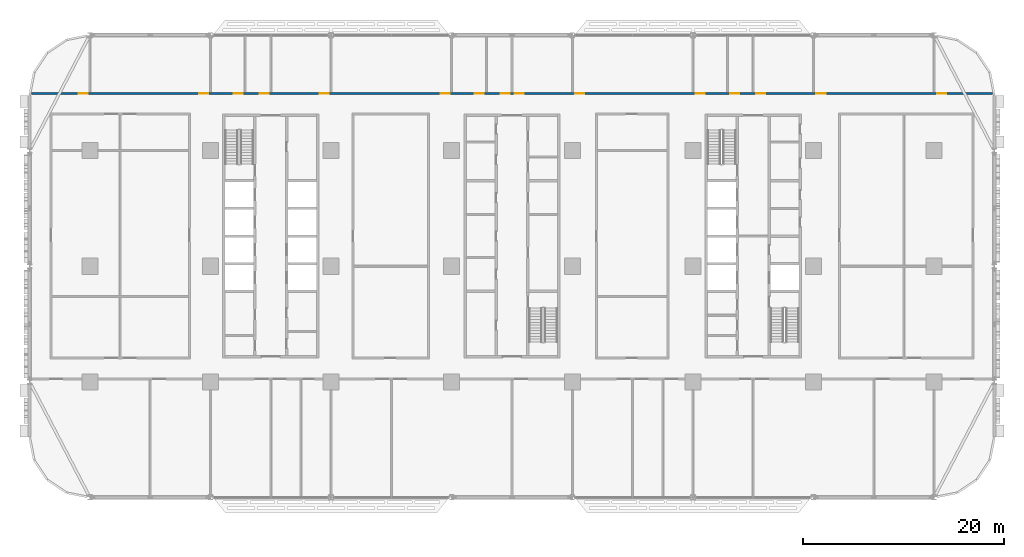
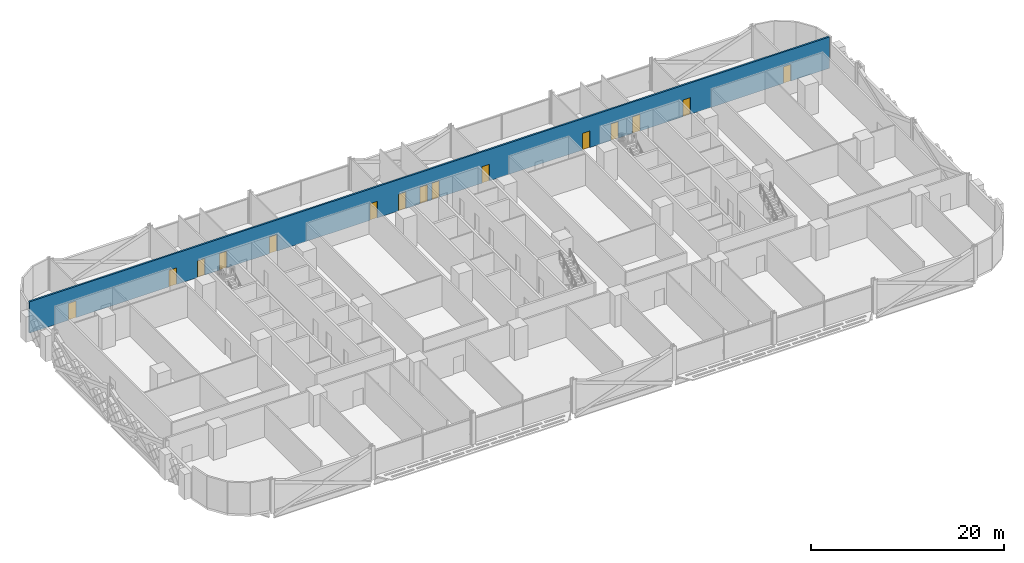
# One storey, part 13 of 29: 15 doors, 1 wall, 15 openings.
"""IFC4 building model written with IfcOpenShell, lengths in metres."""

from ifc_helpers import new_model, si_unit, direction, frame, frame_2d, origin, place, context, subcontext, project, spatial, rectangle, extrude, material, layer, layer_set, type_object, element, fill, save


model = new_model("IFC4")

# Units and contexts
model_context = context("Model", 3, precision=1e-05, world=origin(), true_north=direction((0.0, 1.0)))
body_context = subcontext(model_context, "Body", "Model", "MODEL_VIEW")
ifc_project = project(units=[si_unit("LENGTHUNIT", "METRE"), si_unit("AREAUNIT", "SQUARE_METRE"), si_unit("VOLUMEUNIT", "CUBIC_METRE"), si_unit("PLANEANGLEUNIT", "RADIAN"), si_unit("MASSUNIT", "GRAM", prefix="KILO")], contexts=[model_context])

# Site, building, storey
site_placement = place(None, origin())
site = spatial("IfcSite", under=ifc_project, at=site_placement, CompositionType="ELEMENT")
building_placement = place(site_placement, origin())
building = spatial("IfcBuilding", under=site, at=building_placement, Name="Mahtab Terrace Research Tower", CompositionType="ELEMENT")
storey_placement = place(building_placement, frame((0.0, 0.0, 20.10009765625)))
storey = spatial("IfcBuildingStorey", under=building, at=storey_placement, Name="L04", CompositionType="ELEMENT", Elevation=20.10009765625)

# Wall, openings, doors
ifc_material_1 = material(Name="Gypsum board corridor wall on steel studs", Category="steel")
ifc_layer = layer(ifc_material_1, 0.199951171875)
ifc_layer_set = layer_set([ifc_layer], Name="WALL CORRIDOR 200")
wall_type = type_object("IfcWallType", Name="WALL CORRIDOR 200", PredefinedType="PARTITIONING", material=ifc_layer_set)
wall_placement = place(storey_placement, frame((-47.807373046875, 17.199951171875, 0.0), z_axis=(0.0, 0.0, 1.0), x_axis=(1.0, 0.0, 0.0)))
wall = element("IfcWall", 1, at=wall_placement, inside=storey, type_object=wall_type, Name="L04-W026", PredefinedType="PARTITIONING", context=body_context, shape_type="SweptSolid", body=[
    extrude(rectangle(XDim=95.61474609375, YDim=0.199951171875, at=frame_2d((47.807373046875, 0.0))), origin(), (0.0, 0.0, 1.0), 3.9599609375),
])
opening_1_placement = place(wall_placement, frame((4.699951171875, 0.0, 0.0)))
opening_1 = element("IfcOpeningElement", 2, at=opening_1_placement, cuts=wall, Name="Opening L04-131", PredefinedType="OPENING", context=body_context, shape_type="SweptSolid", body=[
    extrude(rectangle(XDim=0.89990234375, YDim=2.10009765625, at=frame_2d((0.449951171875, 1.050048828125))), frame((0.0, 0.10986328125, 0.0), z_axis=(0.0, -1.0, 0.0), x_axis=(1.0, 0.0, 0.0)), (0.0, 0.0, 1.0), 0.219970703125),
])
opening_2_placement = place(wall_placement, frame((16.699951171875, 0.0, 0.0)))
opening_2 = element("IfcOpeningElement", 3, at=opening_2_placement, cuts=wall, Name="Opening L04-132", PredefinedType="OPENING", context=body_context, shape_type="SweptSolid", body=[
    extrude(rectangle(XDim=0.89990234375, YDim=2.10009765625, at=frame_2d((0.449951171875, 1.050048828125))), frame((0.0, 0.10986328125, 0.0), z_axis=(0.0, -1.0, 0.0), x_axis=(1.0, 0.0, 0.0)), (0.0, 0.0, 1.0), 0.219970703125),
])
opening_3_placement = place(wall_placement, frame((20.10009765625, 0.0, 0.0)))
opening_3 = element("IfcOpeningElement", 4, at=opening_3_placement, cuts=wall, Name="Opening L04-133", PredefinedType="OPENING", context=body_context, shape_type="SweptSolid", body=[
    extrude(rectangle(XDim=0.89990234375, YDim=2.10009765625, at=frame_2d((0.449951171875, 1.050048828125))), frame((0.0, 0.10986328125, 0.0), z_axis=(0.0, -1.0, 0.0), x_axis=(1.0, 0.0, 0.0)), (0.0, 0.0, 1.0), 0.219970703125),
])
opening_4_placement = place(wall_placement, frame((22.699951171875, 0.0, 0.0)))
opening_4 = element("IfcOpeningElement", 5, at=opening_4_placement, cuts=wall, Name="Opening L04-134", PredefinedType="OPENING", context=body_context, shape_type="SweptSolid", body=[
    extrude(rectangle(XDim=0.89990234375, YDim=2.10009765625, at=frame_2d((0.449951171875, 1.050048828125))), frame((0.0, 0.10986328125, 0.0), z_axis=(0.0, -1.0, 0.0), x_axis=(1.0, 0.0, 0.0)), (0.0, 0.0, 1.0), 0.219970703125),
])
opening_5_placement = place(wall_placement, frame((28.699951171875, 0.0, 0.0)))
opening_5 = element("IfcOpeningElement", 6, at=opening_5_placement, cuts=wall, Name="Opening L04-135", PredefinedType="OPENING", context=body_context, shape_type="SweptSolid", body=[
    extrude(rectangle(XDim=0.89990234375, YDim=2.10009765625, at=frame_2d((0.449951171875, 1.050048828125))), frame((0.0, 0.10986328125, 0.0), z_axis=(0.0, -1.0, 0.0), x_axis=(1.0, 0.0, 0.0)), (0.0, 0.0, 1.0), 0.219970703125),
])
opening_6_placement = place(wall_placement, frame((40.699951171875, 0.0, 0.0)))
opening_6 = element("IfcOpeningElement", 7, at=opening_6_placement, cuts=wall, Name="Opening L04-136", PredefinedType="OPENING", context=body_context, shape_type="SweptSolid", body=[
    extrude(rectangle(XDim=0.89990234375, YDim=2.10009765625, at=frame_2d((0.449951171875, 1.050048828125))), frame((0.0, 0.10986328125, 0.0), z_axis=(0.0, -1.0, 0.0), x_axis=(1.0, 0.0, 0.0)), (0.0, 0.0, 1.0), 0.219970703125),
])
opening_7_placement = place(wall_placement, frame((44.10009765625, 0.0, 0.0)))
opening_7 = element("IfcOpeningElement", 8, at=opening_7_placement, cuts=wall, Name="Opening L04-137", PredefinedType="OPENING", context=body_context, shape_type="SweptSolid", body=[
    extrude(rectangle(XDim=0.89990234375, YDim=2.10009765625, at=frame_2d((0.449951171875, 1.050048828125))), frame((0.0, 0.10986328125, 0.0), z_axis=(0.0, -1.0, 0.0), x_axis=(1.0, 0.0, 0.0)), (0.0, 0.0, 1.0), 0.219970703125),
])
opening_8_placement = place(wall_placement, frame((46.699951171875, 0.0, 0.0)))
opening_8 = element("IfcOpeningElement", 9, at=opening_8_placement, cuts=wall, Name="Opening L04-138", PredefinedType="OPENING", context=body_context, shape_type="SweptSolid", body=[
    extrude(rectangle(XDim=0.89990234375, YDim=2.10009765625, at=frame_2d((0.449951171875, 1.050048828125))), frame((0.0, 0.10986328125, 0.0), z_axis=(0.0, -1.0, 0.0), x_axis=(1.0, 0.0, 0.0)), (0.0, 0.0, 1.0), 0.219970703125),
])
opening_9_placement = place(wall_placement, frame((48.10009765625, 0.0, 0.0)))
opening_9 = element("IfcOpeningElement", 10, at=opening_9_placement, cuts=wall, Name="Opening L04-139", PredefinedType="OPENING", context=body_context, shape_type="SweptSolid", body=[
    extrude(rectangle(XDim=0.89990234375, YDim=2.10009765625, at=frame_2d((0.449951171875, 1.050048828125))), frame((0.0, 0.10986328125, 0.0), z_axis=(0.0, -1.0, 0.0), x_axis=(1.0, 0.0, 0.0)), (0.0, 0.0, 1.0), 0.219970703125),
])
opening_10_placement = place(wall_placement, frame((54.10009765625, 0.0, 0.0)))
opening_10 = element("IfcOpeningElement", 11, at=opening_10_placement, cuts=wall, Name="Opening L04-140", PredefinedType="OPENING", context=body_context, shape_type="SweptSolid", body=[
    extrude(rectangle(XDim=0.89990234375, YDim=2.10009765625, at=frame_2d((0.449951171875, 1.050048828125))), frame((0.0, 0.10986328125, 0.0), z_axis=(0.0, -1.0, 0.0), x_axis=(1.0, 0.0, 0.0)), (0.0, 0.0, 1.0), 0.219970703125),
])
opening_11_placement = place(wall_placement, frame((66.10009765625, 0.0, 0.0)))
opening_11 = element("IfcOpeningElement", 12, at=opening_11_placement, cuts=wall, Name="Opening L04-141", PredefinedType="OPENING", context=body_context, shape_type="SweptSolid", body=[
    extrude(rectangle(XDim=0.89990234375, YDim=2.10009765625, at=frame_2d((0.449951171875, 1.050048828125))), frame((0.0, 0.10986328125, 0.0), z_axis=(0.0, -1.0, 0.0), x_axis=(1.0, 0.0, 0.0)), (0.0, 0.0, 1.0), 0.219970703125),
])
opening_12_placement = place(wall_placement, frame((69.5, 0.0, 0.0)))
opening_12 = element("IfcOpeningElement", 13, at=opening_12_placement, cuts=wall, Name="Opening L04-142", PredefinedType="OPENING", context=body_context, shape_type="SweptSolid", body=[
    extrude(rectangle(XDim=0.89990234375, YDim=2.10009765625, at=frame_2d((0.449951171875, 1.050048828125))), frame((0.0, 0.10986328125, 0.0), z_axis=(0.0, -1.0, 0.0), x_axis=(1.0, 0.0, 0.0)), (0.0, 0.0, 1.0), 0.219970703125),
])
opening_13_placement = place(wall_placement, frame((72.10009765625, 0.0, 0.0)))
opening_13 = element("IfcOpeningElement", 14, at=opening_13_placement, cuts=wall, Name="Opening L04-143", PredefinedType="OPENING", context=body_context, shape_type="SweptSolid", body=[
    extrude(rectangle(XDim=0.89990234375, YDim=2.10009765625, at=frame_2d((0.449951171875, 1.050048828125))), frame((0.0, 0.10986328125, 0.0), z_axis=(0.0, -1.0, 0.0), x_axis=(1.0, 0.0, 0.0)), (0.0, 0.0, 1.0), 0.219970703125),
])
opening_14_placement = place(wall_placement, frame((78.10009765625, 0.0, 0.0)))
opening_14 = element("IfcOpeningElement", 15, at=opening_14_placement, cuts=wall, Name="Opening L04-144", PredefinedType="OPENING", context=body_context, shape_type="SweptSolid", body=[
    extrude(rectangle(XDim=0.89990234375, YDim=2.10009765625, at=frame_2d((0.449951171875, 1.050048828125))), frame((0.0, 0.10986328125, 0.0), z_axis=(0.0, -1.0, 0.0), x_axis=(1.0, 0.0, 0.0)), (0.0, 0.0, 1.0), 0.219970703125),
])
opening_15_placement = place(wall_placement, frame((90.10009765625, 0.0, 0.0)))
opening_15 = element("IfcOpeningElement", 16, at=opening_15_placement, cuts=wall, Name="Opening L04-145", PredefinedType="OPENING", context=body_context, shape_type="SweptSolid", body=[
    extrude(rectangle(XDim=0.89990234375, YDim=2.10009765625, at=frame_2d((0.449951171875, 1.050048828125))), frame((0.0, 0.10986328125, 0.0), z_axis=(0.0, -1.0, 0.0), x_axis=(1.0, 0.0, 0.0)), (0.0, 0.0, 1.0), 0.219970703125),
])
ifc_material_2 = material(Name="Timber door leaf in steel frame", Category="steel")
door_type = type_object("IfcDoorType", Name="DOOR 0900X2100 FD30S", OperationType="SINGLE_SWING_LEFT", PredefinedType="DOOR", material=ifc_material_2)
door_1_placement = place(opening_1_placement, origin())
door_1 = element("IfcDoor", 17, at=door_1_placement, inside=storey, type_object=door_type, Name="Door L04-131", OperationType="SINGLE_SWING_LEFT", OverallHeight=2.10009765625, OverallWidth=0.89990234375, PredefinedType="DOOR", context=body_context, shape_type="SweptSolid", body=[
    extrude(rectangle(XDim=0.89990234375, YDim=2.10009765625, at=frame_2d((0.449951171875, 1.050048828125))), frame((0.0, 0.02490234375, 0.0), z_axis=(0.0, -1.0, 0.0), x_axis=(1.0, 0.0, 0.0)), (0.0, 0.0, 1.0), 0.050048828125),
])
fill(opening_1, door_1)
door_2_placement = place(opening_2_placement, origin())
door_2 = element("IfcDoor", 18, at=door_2_placement, inside=storey, type_object=door_type, Name="Door L04-132", OperationType="SINGLE_SWING_LEFT", OverallHeight=2.10009765625, OverallWidth=0.89990234375, PredefinedType="DOOR", context=body_context, shape_type="SweptSolid", body=[
    extrude(rectangle(XDim=0.89990234375, YDim=2.10009765625, at=frame_2d((0.449951171875, 1.050048828125))), frame((0.0, 0.02490234375, 0.0), z_axis=(0.0, -1.0, 0.0), x_axis=(1.0, 0.0, 0.0)), (0.0, 0.0, 1.0), 0.050048828125),
])
fill(opening_2, door_2)
door_3_placement = place(opening_3_placement, origin())
door_3 = element("IfcDoor", 19, at=door_3_placement, inside=storey, type_object=door_type, Name="Door L04-133", OperationType="SINGLE_SWING_LEFT", OverallHeight=2.10009765625, OverallWidth=0.89990234375, PredefinedType="DOOR", context=body_context, shape_type="SweptSolid", body=[
    extrude(rectangle(XDim=0.89990234375, YDim=2.10009765625, at=frame_2d((0.449951171875, 1.050048828125))), frame((0.0, 0.02490234375, 0.0), z_axis=(0.0, -1.0, 0.0), x_axis=(1.0, 0.0, 0.0)), (0.0, 0.0, 1.0), 0.050048828125),
])
fill(opening_3, door_3)
door_4_placement = place(opening_4_placement, origin())
door_4 = element("IfcDoor", 20, at=door_4_placement, inside=storey, type_object=door_type, Name="Door L04-134", OperationType="SINGLE_SWING_LEFT", OverallHeight=2.10009765625, OverallWidth=0.89990234375, PredefinedType="DOOR", context=body_context, shape_type="SweptSolid", body=[
    extrude(rectangle(XDim=0.89990234375, YDim=2.10009765625, at=frame_2d((0.449951171875, 1.050048828125))), frame((0.0, 0.02490234375, 0.0), z_axis=(0.0, -1.0, 0.0), x_axis=(1.0, 0.0, 0.0)), (0.0, 0.0, 1.0), 0.050048828125),
])
fill(opening_4, door_4)
door_5_placement = place(opening_5_placement, origin())
door_5 = element("IfcDoor", 21, at=door_5_placement, inside=storey, type_object=door_type, Name="Door L04-135", OperationType="SINGLE_SWING_LEFT", OverallHeight=2.10009765625, OverallWidth=0.89990234375, PredefinedType="DOOR", context=body_context, shape_type="SweptSolid", body=[
    extrude(rectangle(XDim=0.89990234375, YDim=2.10009765625, at=frame_2d((0.449951171875, 1.050048828125))), frame((0.0, 0.02490234375, 0.0), z_axis=(0.0, -1.0, 0.0), x_axis=(1.0, 0.0, 0.0)), (0.0, 0.0, 1.0), 0.050048828125),
])
fill(opening_5, door_5)
door_6_placement = place(opening_6_placement, origin())
door_6 = element("IfcDoor", 22, at=door_6_placement, inside=storey, type_object=door_type, Name="Door L04-136", OperationType="SINGLE_SWING_LEFT", OverallHeight=2.10009765625, OverallWidth=0.89990234375, PredefinedType="DOOR", context=body_context, shape_type="SweptSolid", body=[
    extrude(rectangle(XDim=0.89990234375, YDim=2.10009765625, at=frame_2d((0.449951171875, 1.050048828125))), frame((0.0, 0.02490234375, 0.0), z_axis=(0.0, -1.0, 0.0), x_axis=(1.0, 0.0, 0.0)), (0.0, 0.0, 1.0), 0.050048828125),
])
fill(opening_6, door_6)
door_7_placement = place(opening_7_placement, origin())
door_7 = element("IfcDoor", 23, at=door_7_placement, inside=storey, type_object=door_type, Name="Door L04-137", OperationType="SINGLE_SWING_LEFT", OverallHeight=2.10009765625, OverallWidth=0.89990234375, PredefinedType="DOOR", context=body_context, shape_type="SweptSolid", body=[
    extrude(rectangle(XDim=0.89990234375, YDim=2.10009765625, at=frame_2d((0.449951171875, 1.050048828125))), frame((0.0, 0.02490234375, 0.0), z_axis=(0.0, -1.0, 0.0), x_axis=(1.0, 0.0, 0.0)), (0.0, 0.0, 1.0), 0.050048828125),
])
fill(opening_7, door_7)
door_8_placement = place(opening_8_placement, origin())
door_8 = element("IfcDoor", 24, at=door_8_placement, inside=storey, type_object=door_type, Name="Door L04-138", OperationType="SINGLE_SWING_LEFT", OverallHeight=2.10009765625, OverallWidth=0.89990234375, PredefinedType="DOOR", context=body_context, shape_type="SweptSolid", body=[
    extrude(rectangle(XDim=0.89990234375, YDim=2.10009765625, at=frame_2d((0.449951171875, 1.050048828125))), frame((0.0, 0.02490234375, 0.0), z_axis=(0.0, -1.0, 0.0), x_axis=(1.0, 0.0, 0.0)), (0.0, 0.0, 1.0), 0.050048828125),
])
fill(opening_8, door_8)
door_9_placement = place(opening_9_placement, origin())
door_9 = element("IfcDoor", 25, at=door_9_placement, inside=storey, type_object=door_type, Name="Door L04-139", OperationType="SINGLE_SWING_RIGHT", OverallHeight=2.10009765625, OverallWidth=0.89990234375, PredefinedType="DOOR", context=body_context, shape_type="SweptSolid", body=[
    extrude(rectangle(XDim=0.89990234375, YDim=2.10009765625, at=frame_2d((0.449951171875, 1.050048828125))), frame((0.0, 0.02490234375, 0.0), z_axis=(0.0, -1.0, 0.0), x_axis=(1.0, 0.0, 0.0)), (0.0, 0.0, 1.0), 0.050048828125),
])
fill(opening_9, door_9)
door_10_placement = place(opening_10_placement, origin())
door_10 = element("IfcDoor", 26, at=door_10_placement, inside=storey, type_object=door_type, Name="Door L04-140", OperationType="SINGLE_SWING_RIGHT", OverallHeight=2.10009765625, OverallWidth=0.89990234375, PredefinedType="DOOR", context=body_context, shape_type="SweptSolid", body=[
    extrude(rectangle(XDim=0.89990234375, YDim=2.10009765625, at=frame_2d((0.449951171875, 1.050048828125))), frame((0.0, 0.02490234375, 0.0), z_axis=(0.0, -1.0, 0.0), x_axis=(1.0, 0.0, 0.0)), (0.0, 0.0, 1.0), 0.050048828125),
])
fill(opening_10, door_10)
door_11_placement = place(opening_11_placement, origin())
door_11 = element("IfcDoor", 27, at=door_11_placement, inside=storey, type_object=door_type, Name="Door L04-141", OperationType="SINGLE_SWING_RIGHT", OverallHeight=2.10009765625, OverallWidth=0.89990234375, PredefinedType="DOOR", context=body_context, shape_type="SweptSolid", body=[
    extrude(rectangle(XDim=0.89990234375, YDim=2.10009765625, at=frame_2d((0.449951171875, 1.050048828125))), frame((0.0, 0.02490234375, 0.0), z_axis=(0.0, -1.0, 0.0), x_axis=(1.0, 0.0, 0.0)), (0.0, 0.0, 1.0), 0.050048828125),
])
fill(opening_11, door_11)
door_12_placement = place(opening_12_placement, origin())
door_12 = element("IfcDoor", 28, at=door_12_placement, inside=storey, type_object=door_type, Name="Door L04-142", OperationType="SINGLE_SWING_RIGHT", OverallHeight=2.10009765625, OverallWidth=0.89990234375, PredefinedType="DOOR", context=body_context, shape_type="SweptSolid", body=[
    extrude(rectangle(XDim=0.89990234375, YDim=2.10009765625, at=frame_2d((0.449951171875, 1.050048828125))), frame((0.0, 0.02490234375, 0.0), z_axis=(0.0, -1.0, 0.0), x_axis=(1.0, 0.0, 0.0)), (0.0, 0.0, 1.0), 0.050048828125),
])
fill(opening_12, door_12)
door_13_placement = place(opening_13_placement, origin())
door_13 = element("IfcDoor", 29, at=door_13_placement, inside=storey, type_object=door_type, Name="Door L04-143", OperationType="SINGLE_SWING_RIGHT", OverallHeight=2.10009765625, OverallWidth=0.89990234375, PredefinedType="DOOR", context=body_context, shape_type="SweptSolid", body=[
    extrude(rectangle(XDim=0.89990234375, YDim=2.10009765625, at=frame_2d((0.449951171875, 1.050048828125))), frame((0.0, 0.02490234375, 0.0), z_axis=(0.0, -1.0, 0.0), x_axis=(1.0, 0.0, 0.0)), (0.0, 0.0, 1.0), 0.050048828125),
])
fill(opening_13, door_13)
door_14_placement = place(opening_14_placement, origin())
door_14 = element("IfcDoor", 30, at=door_14_placement, inside=storey, type_object=door_type, Name="Door L04-144", OperationType="SINGLE_SWING_RIGHT", OverallHeight=2.10009765625, OverallWidth=0.89990234375, PredefinedType="DOOR", context=body_context, shape_type="SweptSolid", body=[
    extrude(rectangle(XDim=0.89990234375, YDim=2.10009765625, at=frame_2d((0.449951171875, 1.050048828125))), frame((0.0, 0.02490234375, 0.0), z_axis=(0.0, -1.0, 0.0), x_axis=(1.0, 0.0, 0.0)), (0.0, 0.0, 1.0), 0.050048828125),
])
fill(opening_14, door_14)
door_15_placement = place(opening_15_placement, origin())
door_15 = element("IfcDoor", 31, at=door_15_placement, inside=storey, type_object=door_type, Name="Door L04-145", OperationType="SINGLE_SWING_RIGHT", OverallHeight=2.10009765625, OverallWidth=0.89990234375, PredefinedType="DOOR", context=body_context, shape_type="SweptSolid", body=[
    extrude(rectangle(XDim=0.89990234375, YDim=2.10009765625, at=frame_2d((0.449951171875, 1.050048828125))), frame((0.0, 0.02490234375, 0.0), z_axis=(0.0, -1.0, 0.0), x_axis=(1.0, 0.0, 0.0)), (0.0, 0.0, 1.0), 0.050048828125),
])
fill(opening_15, door_15)

save(model, "model.ifc")
